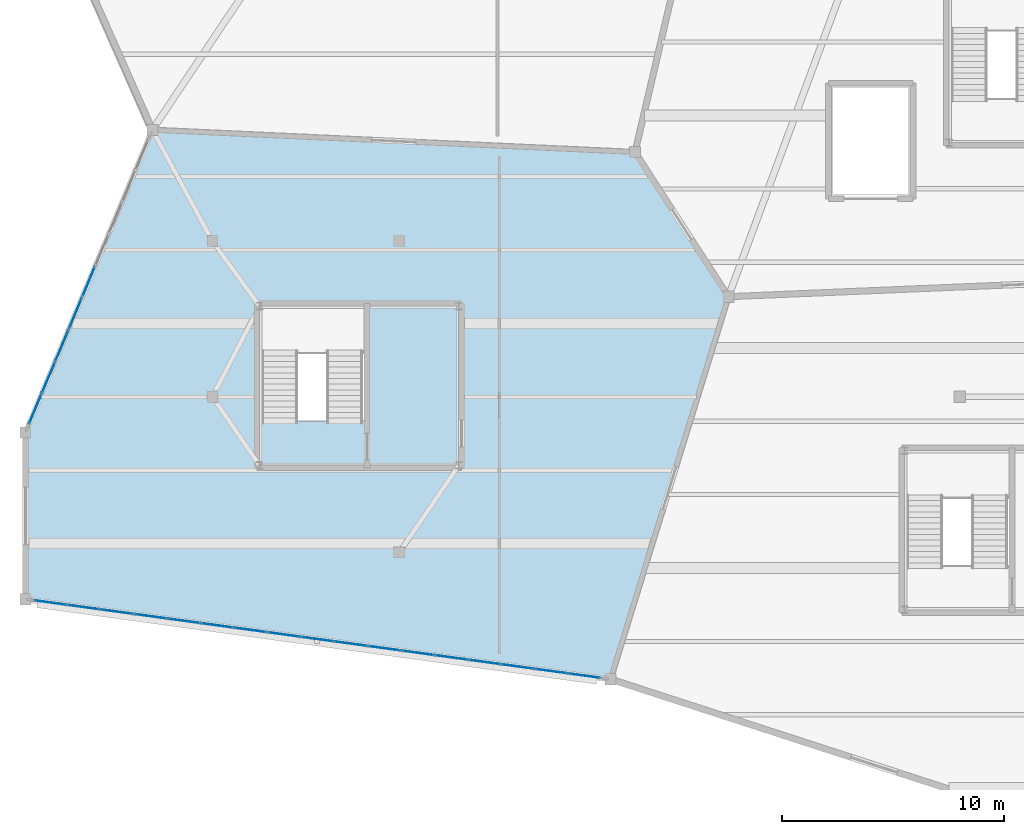
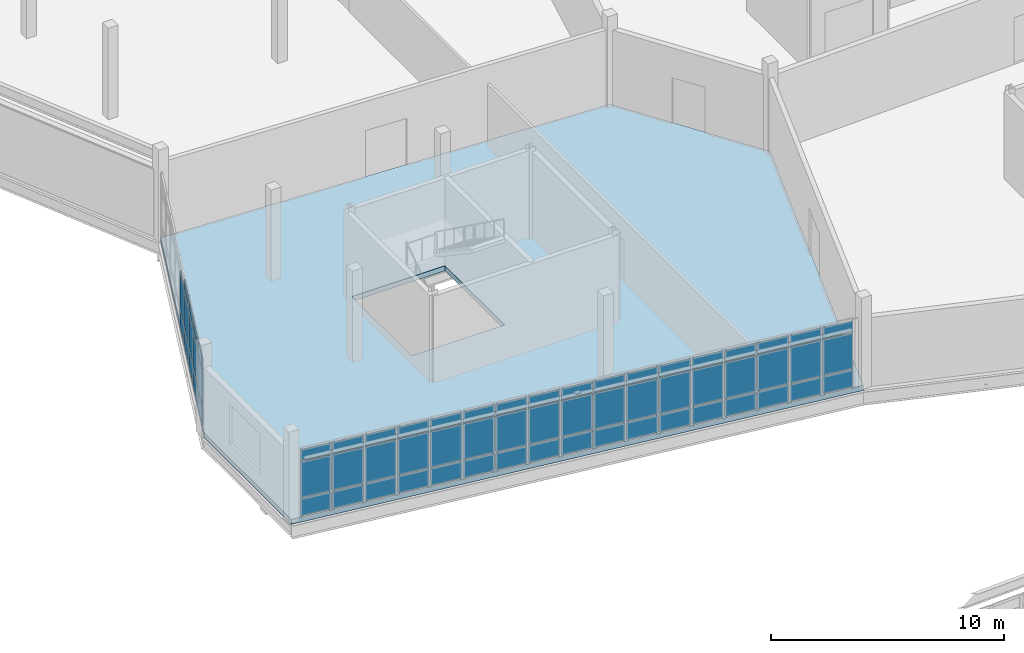
# One storey, part 92 of 134: 65 plates, 1 slab, 2 elements without a shape of their own.
"""IFC4 building model written with IfcOpenShell, lengths in metres."""

from ifc_helpers import new_model, si_unit, direction, frame, origin, origin_2d, place, context, subcontext, project, spatial, polyline, rectangle, outline, extrude, material, layer, layer_set, type_object, element, aggregate, save


model = new_model("IFC4")

# Units and contexts
model_context = context("Model", 3, precision=1e-05, world=origin(), true_north=direction((0.0, 1.0)))
body_context = subcontext(model_context, "Body", "Model", "MODEL_VIEW")
ifc_project = project(units=[si_unit("LENGTHUNIT", "METRE"), si_unit("AREAUNIT", "SQUARE_METRE"), si_unit("VOLUMEUNIT", "CUBIC_METRE"), si_unit("PLANEANGLEUNIT", "RADIAN"), si_unit("MASSUNIT", "GRAM", prefix="KILO")], contexts=[model_context])

# Site, building, storey
site_placement = place(None, origin())
site = spatial("IfcSite", under=ifc_project, at=site_placement, CompositionType="ELEMENT")
building_placement = place(site_placement, origin())
building = spatial("IfcBuilding", under=site, at=building_placement, Name="Tameran Prism Museum", CompositionType="ELEMENT")
storey_placement = place(building_placement, frame((0.0, 0.0, 5.39990234375)))
storey = spatial("IfcBuildingStorey", under=building, at=storey_placement, Name="L01", CompositionType="ELEMENT", Elevation=5.39990234375)

# Curtain wall, plates
ifc_material_1 = material(Name="Anodised Aluminium 6063-T6 and Cyclone Solar Glass", Category="aluminium")
curtain_wall_type_1 = type_object("IfcCurtainWallType", Name="CW-FAC-2579x362", PredefinedType="USERDEFINED", material=ifc_material_1)
curtain_wall_1_placement = place(storey_placement, origin())
curtain_wall_1 = element("IfcCurtainWall", 1, at=curtain_wall_1_placement, inside=storey, type_object=curtain_wall_type_1, Name="Unitised Curtain Wall CW-093", ObjectType="UNITISED CURTAIN WALL", PredefinedType="USERDEFINED")
ifc_material_2 = material(Name="Low-E Laminated Solar Glass", Category="glass")
ifc_layer_1 = layer(ifc_material_2, 0.028076171875)
ifc_layer_set_1 = layer_set([ifc_layer_1])
plate_type_1 = type_object("IfcPlateType", Name="CW-PNL-G28", PredefinedType="CURTAIN_PANEL", material=ifc_layer_set_1)
plate_1_placement = place(storey_placement, frame((25.1240234375, 64.46044921875, 0.0751953125), z_axis=(0.0, 0.0, 1.0), x_axis=(-0.990755679961, 0.135658330466, 0.0)))
plate_1 = element("IfcPlate", 2, at=plate_1_placement, type_object=plate_type_1, Name="CW-093 panel 1.1", PredefinedType="CURTAIN_PANEL", context=body_context, shape_type="SweptSolid", body=[
    extrude(rectangle(XDim=1.404296875, YDim=0.028076171875, at=origin_2d()), origin(), (0.0, 0.0, 1.0), 0.887451171875),
])
plate_2_placement = place(storey_placement, frame((25.1240234375, 64.46044921875, 1.03759765625), z_axis=(0.0, 0.0, 1.0), x_axis=(-0.990755679961, 0.135658330466, 0.0)))
plate_2 = element("IfcPlate", 3, at=plate_2_placement, type_object=plate_type_1, Name="CW-093 panel 1.2", PredefinedType="CURTAIN_PANEL", context=body_context, shape_type="SweptSolid", body=[
    extrude(rectangle(XDim=1.404296875, YDim=0.028076171875, at=origin_2d()), origin(), (0.0, 0.0, 1.0), 1.864990234375),
])
plate_3_placement = place(storey_placement, frame((25.1240234375, 64.46044921875, 2.9775390625), z_axis=(0.0, 0.0, 1.0), x_axis=(-0.990755679961, 0.135658330466, 0.0)))
plate_3 = element("IfcPlate", 4, at=plate_3_placement, type_object=plate_type_1, Name="CW-093 panel 1.3", PredefinedType="CURTAIN_PANEL", context=body_context, shape_type="SweptSolid", body=[
    extrude(rectangle(XDim=1.404296875, YDim=0.028076171875, at=origin_2d()), origin(), (0.0, 0.0, 1.0), 0.5673828125),
])
plate_4_placement = place(storey_placement, frame((23.639892578125, 64.66357421875, 0.0751953125), z_axis=(0.0, 0.0, 1.0), x_axis=(-0.990755679961, 0.135658330466, 0.0)))
plate_4 = element("IfcPlate", 5, at=plate_4_placement, type_object=plate_type_1, Name="CW-093 panel 2.1", PredefinedType="CURTAIN_PANEL", context=body_context, shape_type="SweptSolid", body=[
    extrude(rectangle(XDim=1.44189453125, YDim=0.028076171875, at=origin_2d()), origin(), (0.0, 0.0, 1.0), 0.887451171875),
])
plate_5_placement = place(storey_placement, frame((23.639892578125, 64.66357421875, 1.03759765625), z_axis=(0.0, 0.0, 1.0), x_axis=(-0.990755679961, 0.135658330466, 0.0)))
plate_5 = element("IfcPlate", 6, at=plate_5_placement, type_object=plate_type_1, Name="CW-093 panel 2.2", PredefinedType="CURTAIN_PANEL", context=body_context, shape_type="SweptSolid", body=[
    extrude(rectangle(XDim=1.44189453125, YDim=0.028076171875, at=origin_2d()), origin(), (0.0, 0.0, 1.0), 1.864990234375),
])
plate_6_placement = place(storey_placement, frame((23.639892578125, 64.66357421875, 2.9775390625), z_axis=(0.0, 0.0, 1.0), x_axis=(-0.990755679961, 0.135658330466, 0.0)))
plate_6 = element("IfcPlate", 7, at=plate_6_placement, type_object=plate_type_1, Name="CW-093 panel 2.3", PredefinedType="CURTAIN_PANEL", context=body_context, shape_type="SweptSolid", body=[
    extrude(rectangle(XDim=1.44189453125, YDim=0.028076171875, at=origin_2d()), origin(), (0.0, 0.0, 1.0), 0.5673828125),
])
plate_7_placement = place(storey_placement, frame((22.13720703125, 64.869384765625, 0.0751953125), z_axis=(0.0, 0.0, 1.0), x_axis=(-0.990755679961, 0.135658330466, 0.0)))
plate_7 = element("IfcPlate", 8, at=plate_7_placement, type_object=plate_type_1, Name="CW-093 panel 3.1", PredefinedType="CURTAIN_PANEL", context=body_context, shape_type="SweptSolid", body=[
    extrude(rectangle(XDim=1.44189453125, YDim=0.028076171875, at=origin_2d()), origin(), (0.0, 0.0, 1.0), 0.887451171875),
])
plate_8_placement = place(storey_placement, frame((22.13720703125, 64.869384765625, 1.03759765625), z_axis=(0.0, 0.0, 1.0), x_axis=(-0.990755679961, 0.135658330466, 0.0)))
plate_8 = element("IfcPlate", 9, at=plate_8_placement, type_object=plate_type_1, Name="CW-093 panel 3.2", PredefinedType="CURTAIN_PANEL", context=body_context, shape_type="SweptSolid", body=[
    extrude(rectangle(XDim=1.44189453125, YDim=0.028076171875, at=origin_2d()), origin(), (0.0, 0.0, 1.0), 1.864990234375),
])
plate_9_placement = place(storey_placement, frame((22.13720703125, 64.869384765625, 2.9775390625), z_axis=(0.0, 0.0, 1.0), x_axis=(-0.990755679961, 0.135658330466, 0.0)))
plate_9 = element("IfcPlate", 10, at=plate_9_placement, type_object=plate_type_1, Name="CW-093 panel 3.3", PredefinedType="CURTAIN_PANEL", context=body_context, shape_type="SweptSolid", body=[
    extrude(rectangle(XDim=1.44189453125, YDim=0.028076171875, at=origin_2d()), origin(), (0.0, 0.0, 1.0), 0.5673828125),
])
plate_10_placement = place(storey_placement, frame((20.63427734375, 65.0751953125, 0.0751953125), z_axis=(0.0, 0.0, 1.0), x_axis=(-0.990755679961, 0.135658330466, 0.0)))
plate_10 = element("IfcPlate", 11, at=plate_10_placement, type_object=plate_type_1, Name="CW-093 panel 4.1", PredefinedType="CURTAIN_PANEL", context=body_context, shape_type="SweptSolid", body=[
    extrude(rectangle(XDim=1.44189453125, YDim=0.028076171875, at=origin_2d()), origin(), (0.0, 0.0, 1.0), 0.887451171875),
])
plate_11_placement = place(storey_placement, frame((20.63427734375, 65.0751953125, 1.03759765625), z_axis=(0.0, 0.0, 1.0), x_axis=(-0.990755679961, 0.135658330466, 0.0)))
plate_11 = element("IfcPlate", 12, at=plate_11_placement, type_object=plate_type_1, Name="CW-093 panel 4.2", PredefinedType="CURTAIN_PANEL", context=body_context, shape_type="SweptSolid", body=[
    extrude(rectangle(XDim=1.44189453125, YDim=0.028076171875, at=origin_2d()), origin(), (0.0, 0.0, 1.0), 1.864990234375),
])
plate_12_placement = place(storey_placement, frame((20.63427734375, 65.0751953125, 2.9775390625), z_axis=(0.0, 0.0, 1.0), x_axis=(-0.990755679961, 0.135658330466, 0.0)))
plate_12 = element("IfcPlate", 13, at=plate_12_placement, type_object=plate_type_1, Name="CW-093 panel 4.3", PredefinedType="CURTAIN_PANEL", context=body_context, shape_type="SweptSolid", body=[
    extrude(rectangle(XDim=1.44189453125, YDim=0.028076171875, at=origin_2d()), origin(), (0.0, 0.0, 1.0), 0.5673828125),
])
plate_13_placement = place(storey_placement, frame((19.131591796875, 65.281005859375, 0.0751953125), z_axis=(0.0, 0.0, 1.0), x_axis=(-0.990755679961, 0.135658330466, 0.0)))
plate_13 = element("IfcPlate", 14, at=plate_13_placement, type_object=plate_type_1, Name="CW-093 panel 5.1", PredefinedType="CURTAIN_PANEL", context=body_context, shape_type="SweptSolid", body=[
    extrude(rectangle(XDim=1.44189453125, YDim=0.028076171875, at=origin_2d()), origin(), (0.0, 0.0, 1.0), 0.887451171875),
])
plate_14_placement = place(storey_placement, frame((19.131591796875, 65.281005859375, 1.03759765625), z_axis=(0.0, 0.0, 1.0), x_axis=(-0.990755679961, 0.135658330466, 0.0)))
plate_14 = element("IfcPlate", 15, at=plate_14_placement, type_object=plate_type_1, Name="CW-093 panel 5.2", PredefinedType="CURTAIN_PANEL", context=body_context, shape_type="SweptSolid", body=[
    extrude(rectangle(XDim=1.44189453125, YDim=0.028076171875, at=origin_2d()), origin(), (0.0, 0.0, 1.0), 1.864990234375),
])
plate_15_placement = place(storey_placement, frame((19.131591796875, 65.281005859375, 2.9775390625), z_axis=(0.0, 0.0, 1.0), x_axis=(-0.990755679961, 0.135658330466, 0.0)))
plate_15 = element("IfcPlate", 16, at=plate_15_placement, type_object=plate_type_1, Name="CW-093 panel 5.3", PredefinedType="CURTAIN_PANEL", context=body_context, shape_type="SweptSolid", body=[
    extrude(rectangle(XDim=1.44189453125, YDim=0.028076171875, at=origin_2d()), origin(), (0.0, 0.0, 1.0), 0.5673828125),
])
plate_16_placement = place(storey_placement, frame((17.62890625, 65.48681640625, 0.0751953125), z_axis=(0.0, 0.0, 1.0), x_axis=(-0.990755679961, 0.135658330466, 0.0)))
plate_16 = element("IfcPlate", 17, at=plate_16_placement, type_object=plate_type_1, Name="CW-093 panel 6.1", PredefinedType="CURTAIN_PANEL", context=body_context, shape_type="SweptSolid", body=[
    extrude(rectangle(XDim=1.44189453125, YDim=0.028076171875, at=origin_2d()), origin(), (0.0, 0.0, 1.0), 0.887451171875),
])
plate_17_placement = place(storey_placement, frame((17.62890625, 65.48681640625, 1.03759765625), z_axis=(0.0, 0.0, 1.0), x_axis=(-0.990755679961, 0.135658330466, 0.0)))
plate_17 = element("IfcPlate", 18, at=plate_17_placement, type_object=plate_type_1, Name="CW-093 panel 6.2", PredefinedType="CURTAIN_PANEL", context=body_context, shape_type="SweptSolid", body=[
    extrude(rectangle(XDim=1.44189453125, YDim=0.028076171875, at=origin_2d()), origin(), (0.0, 0.0, 1.0), 1.864990234375),
])
plate_18_placement = place(storey_placement, frame((17.62890625, 65.48681640625, 2.9775390625), z_axis=(0.0, 0.0, 1.0), x_axis=(-0.990755679961, 0.135658330466, 0.0)))
plate_18 = element("IfcPlate", 19, at=plate_18_placement, type_object=plate_type_1, Name="CW-093 panel 6.3", PredefinedType="CURTAIN_PANEL", context=body_context, shape_type="SweptSolid", body=[
    extrude(rectangle(XDim=1.44189453125, YDim=0.028076171875, at=origin_2d()), origin(), (0.0, 0.0, 1.0), 0.5673828125),
])
plate_19_placement = place(storey_placement, frame((16.1259765625, 65.6923828125, 0.0751953125), z_axis=(0.0, 0.0, 1.0), x_axis=(-0.990755679961, 0.135658330466, 0.0)))
plate_19 = element("IfcPlate", 20, at=plate_19_placement, type_object=plate_type_1, Name="CW-093 panel 7.1", PredefinedType="CURTAIN_PANEL", context=body_context, shape_type="SweptSolid", body=[
    extrude(rectangle(XDim=1.44189453125, YDim=0.028076171875, at=origin_2d()), origin(), (0.0, 0.0, 1.0), 0.887451171875),
])
plate_20_placement = place(storey_placement, frame((16.1259765625, 65.6923828125, 1.03759765625), z_axis=(0.0, 0.0, 1.0), x_axis=(-0.990755679961, 0.135658330466, 0.0)))
plate_20 = element("IfcPlate", 21, at=plate_20_placement, type_object=plate_type_1, Name="CW-093 panel 7.2", PredefinedType="CURTAIN_PANEL", context=body_context, shape_type="SweptSolid", body=[
    extrude(rectangle(XDim=1.44189453125, YDim=0.028076171875, at=origin_2d()), origin(), (0.0, 0.0, 1.0), 1.864990234375),
])
plate_21_placement = place(storey_placement, frame((16.1259765625, 65.6923828125, 2.9775390625), z_axis=(0.0, 0.0, 1.0), x_axis=(-0.990755679961, 0.135658330466, 0.0)))
plate_21 = element("IfcPlate", 22, at=plate_21_placement, type_object=plate_type_1, Name="CW-093 panel 7.3", PredefinedType="CURTAIN_PANEL", context=body_context, shape_type="SweptSolid", body=[
    extrude(rectangle(XDim=1.44189453125, YDim=0.028076171875, at=origin_2d()), origin(), (0.0, 0.0, 1.0), 0.5673828125),
])
plate_22_placement = place(storey_placement, frame((14.623291015625, 65.898193359375, 0.0751953125), z_axis=(0.0, 0.0, 1.0), x_axis=(-0.990755679961, 0.135658330466, 0.0)))
plate_22 = element("IfcPlate", 23, at=plate_22_placement, type_object=plate_type_1, Name="CW-093 panel 8.1", PredefinedType="CURTAIN_PANEL", context=body_context, shape_type="SweptSolid", body=[
    extrude(rectangle(XDim=1.44189453125, YDim=0.028076171875, at=origin_2d()), origin(), (0.0, 0.0, 1.0), 0.887451171875),
])
plate_23_placement = place(storey_placement, frame((14.623291015625, 65.898193359375, 1.03759765625), z_axis=(0.0, 0.0, 1.0), x_axis=(-0.990755679961, 0.135658330466, 0.0)))
plate_23 = element("IfcPlate", 24, at=plate_23_placement, type_object=plate_type_1, Name="CW-093 panel 8.2", PredefinedType="CURTAIN_PANEL", context=body_context, shape_type="SweptSolid", body=[
    extrude(rectangle(XDim=1.44189453125, YDim=0.028076171875, at=origin_2d()), origin(), (0.0, 0.0, 1.0), 1.864990234375),
])
plate_24_placement = place(storey_placement, frame((14.623291015625, 65.898193359375, 2.9775390625), z_axis=(0.0, 0.0, 1.0), x_axis=(-0.990755679961, 0.135658330466, 0.0)))
plate_24 = element("IfcPlate", 25, at=plate_24_placement, type_object=plate_type_1, Name="CW-093 panel 8.3", PredefinedType="CURTAIN_PANEL", context=body_context, shape_type="SweptSolid", body=[
    extrude(rectangle(XDim=1.44189453125, YDim=0.028076171875, at=origin_2d()), origin(), (0.0, 0.0, 1.0), 0.5673828125),
])
plate_25_placement = place(storey_placement, frame((13.12060546875, 66.10400390625, 0.0751953125), z_axis=(0.0, 0.0, 1.0), x_axis=(-0.990755679961, 0.135658330466, 0.0)))
plate_25 = element("IfcPlate", 26, at=plate_25_placement, type_object=plate_type_1, Name="CW-093 panel 9.1", PredefinedType="CURTAIN_PANEL", context=body_context, shape_type="SweptSolid", body=[
    extrude(rectangle(XDim=1.44189453125, YDim=0.028076171875, at=origin_2d()), origin(), (0.0, 0.0, 1.0), 0.887451171875),
])
plate_26_placement = place(storey_placement, frame((13.12060546875, 66.10400390625, 1.03759765625), z_axis=(0.0, 0.0, 1.0), x_axis=(-0.990755679961, 0.135658330466, 0.0)))
plate_26 = element("IfcPlate", 27, at=plate_26_placement, type_object=plate_type_1, Name="CW-093 panel 9.2", PredefinedType="CURTAIN_PANEL", context=body_context, shape_type="SweptSolid", body=[
    extrude(rectangle(XDim=1.44189453125, YDim=0.028076171875, at=origin_2d()), origin(), (0.0, 0.0, 1.0), 1.864990234375),
])
plate_27_placement = place(storey_placement, frame((13.12060546875, 66.10400390625, 2.9775390625), z_axis=(0.0, 0.0, 1.0), x_axis=(-0.990755679961, 0.135658330466, 0.0)))
plate_27 = element("IfcPlate", 28, at=plate_27_placement, type_object=plate_type_1, Name="CW-093 panel 9.3", PredefinedType="CURTAIN_PANEL", context=body_context, shape_type="SweptSolid", body=[
    extrude(rectangle(XDim=1.44189453125, YDim=0.028076171875, at=origin_2d()), origin(), (0.0, 0.0, 1.0), 0.5673828125),
])
plate_28_placement = place(storey_placement, frame((11.61767578125, 66.309814453125, 0.0751953125), z_axis=(0.0, 0.0, 1.0), x_axis=(-0.990755679961, 0.135658330466, 0.0)))
plate_28 = element("IfcPlate", 29, at=plate_28_placement, type_object=plate_type_1, Name="CW-093 panel 10.1", PredefinedType="CURTAIN_PANEL", context=body_context, shape_type="SweptSolid", body=[
    extrude(rectangle(XDim=1.44189453125, YDim=0.028076171875, at=origin_2d()), origin(), (0.0, 0.0, 1.0), 0.887451171875),
])
plate_29_placement = place(storey_placement, frame((11.61767578125, 66.309814453125, 1.03759765625), z_axis=(0.0, 0.0, 1.0), x_axis=(-0.990755679961, 0.135658330466, 0.0)))
plate_29 = element("IfcPlate", 30, at=plate_29_placement, type_object=plate_type_1, Name="CW-093 panel 10.2", PredefinedType="CURTAIN_PANEL", context=body_context, shape_type="SweptSolid", body=[
    extrude(rectangle(XDim=1.44189453125, YDim=0.028076171875, at=origin_2d()), origin(), (0.0, 0.0, 1.0), 1.864990234375),
])
plate_30_placement = place(storey_placement, frame((11.61767578125, 66.309814453125, 2.9775390625), z_axis=(0.0, 0.0, 1.0), x_axis=(-0.990755679961, 0.135658330466, 0.0)))
plate_30 = element("IfcPlate", 31, at=plate_30_placement, type_object=plate_type_1, Name="CW-093 panel 10.3", PredefinedType="CURTAIN_PANEL", context=body_context, shape_type="SweptSolid", body=[
    extrude(rectangle(XDim=1.44189453125, YDim=0.028076171875, at=origin_2d()), origin(), (0.0, 0.0, 1.0), 0.5673828125),
])
plate_31_placement = place(storey_placement, frame((10.114990234375, 66.515625, 0.0751953125), z_axis=(0.0, 0.0, 1.0), x_axis=(-0.990755679961, 0.135658330466, 0.0)))
plate_31 = element("IfcPlate", 32, at=plate_31_placement, type_object=plate_type_1, Name="CW-093 panel 11.1", PredefinedType="CURTAIN_PANEL", context=body_context, shape_type="SweptSolid", body=[
    extrude(rectangle(XDim=1.44189453125, YDim=0.028076171875, at=origin_2d()), origin(), (0.0, 0.0, 1.0), 0.887451171875),
])
plate_32_placement = place(storey_placement, frame((10.114990234375, 66.515625, 1.03759765625), z_axis=(0.0, 0.0, 1.0), x_axis=(-0.990755679961, 0.135658330466, 0.0)))
plate_32 = element("IfcPlate", 33, at=plate_32_placement, type_object=plate_type_1, Name="CW-093 panel 11.2", PredefinedType="CURTAIN_PANEL", context=body_context, shape_type="SweptSolid", body=[
    extrude(rectangle(XDim=1.44189453125, YDim=0.028076171875, at=origin_2d()), origin(), (0.0, 0.0, 1.0), 1.864990234375),
])
plate_33_placement = place(storey_placement, frame((10.114990234375, 66.515625, 2.9775390625), z_axis=(0.0, 0.0, 1.0), x_axis=(-0.990755679961, 0.135658330466, 0.0)))
plate_33 = element("IfcPlate", 34, at=plate_33_placement, type_object=plate_type_1, Name="CW-093 panel 11.3", PredefinedType="CURTAIN_PANEL", context=body_context, shape_type="SweptSolid", body=[
    extrude(rectangle(XDim=1.44189453125, YDim=0.028076171875, at=origin_2d()), origin(), (0.0, 0.0, 1.0), 0.5673828125),
])
plate_34_placement = place(storey_placement, frame((8.6123046875, 66.72119140625, 0.0751953125), z_axis=(0.0, 0.0, 1.0), x_axis=(-0.990755679961, 0.135658330466, 0.0)))
plate_34 = element("IfcPlate", 35, at=plate_34_placement, type_object=plate_type_1, Name="CW-093 panel 12.1", PredefinedType="CURTAIN_PANEL", context=body_context, shape_type="SweptSolid", body=[
    extrude(rectangle(XDim=1.44189453125, YDim=0.028076171875, at=origin_2d()), origin(), (0.0, 0.0, 1.0), 0.887451171875),
])
plate_35_placement = place(storey_placement, frame((8.6123046875, 66.72119140625, 1.03759765625), z_axis=(0.0, 0.0, 1.0), x_axis=(-0.990755679961, 0.135658330466, 0.0)))
plate_35 = element("IfcPlate", 36, at=plate_35_placement, type_object=plate_type_1, Name="CW-093 panel 12.2", PredefinedType="CURTAIN_PANEL", context=body_context, shape_type="SweptSolid", body=[
    extrude(rectangle(XDim=1.44189453125, YDim=0.028076171875, at=origin_2d()), origin(), (0.0, 0.0, 1.0), 1.864990234375),
])
plate_36_placement = place(storey_placement, frame((8.6123046875, 66.72119140625, 2.9775390625), z_axis=(0.0, 0.0, 1.0), x_axis=(-0.990755679961, 0.135658330466, 0.0)))
plate_36 = element("IfcPlate", 37, at=plate_36_placement, type_object=plate_type_1, Name="CW-093 panel 12.3", PredefinedType="CURTAIN_PANEL", context=body_context, shape_type="SweptSolid", body=[
    extrude(rectangle(XDim=1.44189453125, YDim=0.028076171875, at=origin_2d()), origin(), (0.0, 0.0, 1.0), 0.5673828125),
])
plate_37_placement = place(storey_placement, frame((7.109375, 66.927001953125, 0.0751953125), z_axis=(0.0, 0.0, 1.0), x_axis=(-0.990755679961, 0.135658330466, 0.0)))
plate_37 = element("IfcPlate", 38, at=plate_37_placement, type_object=plate_type_1, Name="CW-093 panel 13.1", PredefinedType="CURTAIN_PANEL", context=body_context, shape_type="SweptSolid", body=[
    extrude(rectangle(XDim=1.44189453125, YDim=0.028076171875, at=origin_2d()), origin(), (0.0, 0.0, 1.0), 0.887451171875),
])
plate_38_placement = place(storey_placement, frame((7.109375, 66.927001953125, 1.03759765625), z_axis=(0.0, 0.0, 1.0), x_axis=(-0.990755679961, 0.135658330466, 0.0)))
plate_38 = element("IfcPlate", 39, at=plate_38_placement, type_object=plate_type_1, Name="CW-093 panel 13.2", PredefinedType="CURTAIN_PANEL", context=body_context, shape_type="SweptSolid", body=[
    extrude(rectangle(XDim=1.44189453125, YDim=0.028076171875, at=origin_2d()), origin(), (0.0, 0.0, 1.0), 1.864990234375),
])
plate_39_placement = place(storey_placement, frame((7.109375, 66.927001953125, 2.9775390625), z_axis=(0.0, 0.0, 1.0), x_axis=(-0.990755679961, 0.135658330466, 0.0)))
plate_39 = element("IfcPlate", 40, at=plate_39_placement, type_object=plate_type_1, Name="CW-093 panel 13.3", PredefinedType="CURTAIN_PANEL", context=body_context, shape_type="SweptSolid", body=[
    extrude(rectangle(XDim=1.44189453125, YDim=0.028076171875, at=origin_2d()), origin(), (0.0, 0.0, 1.0), 0.5673828125),
])
plate_40_placement = place(storey_placement, frame((5.606689453125, 67.1328125, 0.0751953125), z_axis=(0.0, 0.0, 1.0), x_axis=(-0.990755679961, 0.135658330466, 0.0)))
plate_40 = element("IfcPlate", 41, at=plate_40_placement, type_object=plate_type_1, Name="CW-093 panel 14.1", PredefinedType="CURTAIN_PANEL", context=body_context, shape_type="SweptSolid", body=[
    extrude(rectangle(XDim=1.44189453125, YDim=0.028076171875, at=origin_2d()), origin(), (0.0, 0.0, 1.0), 0.887451171875),
])
plate_41_placement = place(storey_placement, frame((5.606689453125, 67.1328125, 1.03759765625), z_axis=(0.0, 0.0, 1.0), x_axis=(-0.990755679961, 0.135658330466, 0.0)))
plate_41 = element("IfcPlate", 42, at=plate_41_placement, type_object=plate_type_1, Name="CW-093 panel 14.2", PredefinedType="CURTAIN_PANEL", context=body_context, shape_type="SweptSolid", body=[
    extrude(rectangle(XDim=1.44189453125, YDim=0.028076171875, at=origin_2d()), origin(), (0.0, 0.0, 1.0), 1.864990234375),
])
plate_42_placement = place(storey_placement, frame((5.606689453125, 67.1328125, 2.9775390625), z_axis=(0.0, 0.0, 1.0), x_axis=(-0.990755679961, 0.135658330466, 0.0)))
plate_42 = element("IfcPlate", 43, at=plate_42_placement, type_object=plate_type_1, Name="CW-093 panel 14.3", PredefinedType="CURTAIN_PANEL", context=body_context, shape_type="SweptSolid", body=[
    extrude(rectangle(XDim=1.44189453125, YDim=0.028076171875, at=origin_2d()), origin(), (0.0, 0.0, 1.0), 0.5673828125),
])
plate_43_placement = place(storey_placement, frame((4.10400390625, 67.338623046875, 0.0751953125), z_axis=(0.0, 0.0, 1.0), x_axis=(-0.990755679961, 0.135658330466, 0.0)))
plate_43 = element("IfcPlate", 44, at=plate_43_placement, type_object=plate_type_1, Name="CW-093 panel 15.1", PredefinedType="CURTAIN_PANEL", context=body_context, shape_type="SweptSolid", body=[
    extrude(rectangle(XDim=1.44189453125, YDim=0.028076171875, at=origin_2d()), origin(), (0.0, 0.0, 1.0), 0.887451171875),
])
plate_44_placement = place(storey_placement, frame((4.10400390625, 67.338623046875, 1.03759765625), z_axis=(0.0, 0.0, 1.0), x_axis=(-0.990755679961, 0.135658330466, 0.0)))
plate_44 = element("IfcPlate", 45, at=plate_44_placement, type_object=plate_type_1, Name="CW-093 panel 15.2", PredefinedType="CURTAIN_PANEL", context=body_context, shape_type="SweptSolid", body=[
    extrude(rectangle(XDim=1.44189453125, YDim=0.028076171875, at=origin_2d()), origin(), (0.0, 0.0, 1.0), 1.864990234375),
])
plate_45_placement = place(storey_placement, frame((4.10400390625, 67.338623046875, 2.9775390625), z_axis=(0.0, 0.0, 1.0), x_axis=(-0.990755679961, 0.135658330466, 0.0)))
plate_45 = element("IfcPlate", 46, at=plate_45_placement, type_object=plate_type_1, Name="CW-093 panel 15.3", PredefinedType="CURTAIN_PANEL", context=body_context, shape_type="SweptSolid", body=[
    extrude(rectangle(XDim=1.44189453125, YDim=0.028076171875, at=origin_2d()), origin(), (0.0, 0.0, 1.0), 0.5673828125),
])
plate_46_placement = place(storey_placement, frame((2.60107421875, 67.54443359375, 0.0751953125), z_axis=(0.0, 0.0, 1.0), x_axis=(-0.990755679961, 0.135658330466, 0.0)))
plate_46 = element("IfcPlate", 47, at=plate_46_placement, type_object=plate_type_1, Name="CW-093 panel 16.1", PredefinedType="CURTAIN_PANEL", context=body_context, shape_type="SweptSolid", body=[
    extrude(rectangle(XDim=1.44189453125, YDim=0.028076171875, at=origin_2d()), origin(), (0.0, 0.0, 1.0), 0.887451171875),
])
plate_47_placement = place(storey_placement, frame((2.60107421875, 67.54443359375, 1.03759765625), z_axis=(0.0, 0.0, 1.0), x_axis=(-0.990755679961, 0.135658330466, 0.0)))
plate_47 = element("IfcPlate", 48, at=plate_47_placement, type_object=plate_type_1, Name="CW-093 panel 16.2", PredefinedType="CURTAIN_PANEL", context=body_context, shape_type="SweptSolid", body=[
    extrude(rectangle(XDim=1.44189453125, YDim=0.028076171875, at=origin_2d()), origin(), (0.0, 0.0, 1.0), 1.864990234375),
])
plate_48_placement = place(storey_placement, frame((2.60107421875, 67.54443359375, 2.9775390625), z_axis=(0.0, 0.0, 1.0), x_axis=(-0.990755679961, 0.135658330466, 0.0)))
plate_48 = element("IfcPlate", 49, at=plate_48_placement, type_object=plate_type_1, Name="CW-093 panel 16.3", PredefinedType="CURTAIN_PANEL", context=body_context, shape_type="SweptSolid", body=[
    extrude(rectangle(XDim=1.44189453125, YDim=0.028076171875, at=origin_2d()), origin(), (0.0, 0.0, 1.0), 0.5673828125),
])
plate_49_placement = place(storey_placement, frame((1.116943359375, 67.74755859375, 0.0751953125), z_axis=(0.0, 0.0, 1.0), x_axis=(-0.990755679961, 0.135658330466, 0.0)))
plate_49 = element("IfcPlate", 50, at=plate_49_placement, type_object=plate_type_1, Name="CW-093 panel 17.1", PredefinedType="CURTAIN_PANEL", context=body_context, shape_type="SweptSolid", body=[
    extrude(rectangle(XDim=1.404296875, YDim=0.028076171875, at=origin_2d()), origin(), (0.0, 0.0, 1.0), 0.887451171875),
])
plate_50_placement = place(storey_placement, frame((1.116943359375, 67.74755859375, 1.03759765625), z_axis=(0.0, 0.0, 1.0), x_axis=(-0.990755679961, 0.135658330466, 0.0)))
plate_50 = element("IfcPlate", 51, at=plate_50_placement, type_object=plate_type_1, Name="CW-093 panel 17.2", PredefinedType="CURTAIN_PANEL", context=body_context, shape_type="SweptSolid", body=[
    extrude(rectangle(XDim=1.404296875, YDim=0.028076171875, at=origin_2d()), origin(), (0.0, 0.0, 1.0), 1.864990234375),
])
plate_51_placement = place(storey_placement, frame((1.116943359375, 67.74755859375, 2.9775390625), z_axis=(0.0, 0.0, 1.0), x_axis=(-0.990755679961, 0.135658330466, 0.0)))
plate_51 = element("IfcPlate", 52, at=plate_51_placement, type_object=plate_type_1, Name="CW-093 panel 17.3", PredefinedType="CURTAIN_PANEL", context=body_context, shape_type="SweptSolid", body=[
    extrude(rectangle(XDim=1.404296875, YDim=0.028076171875, at=origin_2d()), origin(), (0.0, 0.0, 1.0), 0.5673828125),
])
aggregate(curtain_wall_1, [plate_1, plate_2, plate_3, plate_4, plate_5, plate_6, plate_7, plate_8, plate_9, plate_10, plate_11, plate_12, plate_13, plate_14, plate_15, plate_16, plate_17, plate_18, plate_19, plate_20, plate_21, plate_22, plate_23, plate_24, plate_25, plate_26, plate_27, plate_28, plate_29, plate_30, plate_31, plate_32, plate_33, plate_34, plate_35, plate_36, plate_37, plate_38, plate_39, plate_40, plate_41, plate_42, plate_43, plate_44, plate_45, plate_46, plate_47, plate_48, plate_49, plate_50, plate_51])

ifc_material_3 = material(Name="Anodised Aluminium 6063-T6 and Cyclone Solar Glass", Category="aluminium")
curtain_wall_type_2 = type_object("IfcCurtainWallType", Name="CW-FAC-1399x362", PredefinedType="USERDEFINED", material=ifc_material_3)
curtain_wall_2_placement = place(storey_placement, origin())
curtain_wall_2 = element("IfcCurtainWall", 53, at=curtain_wall_2_placement, inside=storey, type_object=curtain_wall_type_2, Name="Unitised Curtain Wall CW-094", ObjectType="UNITISED CURTAIN WALL", PredefinedType="USERDEFINED")
ifc_material_4 = material(Name="Cyclone Laminated Solar Glass", Category="glass")
ifc_layer_2 = layer(ifc_material_4, 0.031982421875)
ifc_layer_set_2 = layer_set([ifc_layer_2])
plate_type_2 = type_object("IfcPlateType", Name="CW-PNL-G32", PredefinedType="CURTAIN_PANEL", material=ifc_layer_set_2)
plate_52_placement = place(storey_placement, frame((0.443115234375, 76.4580078125, 0.080078125), z_axis=(0.0, 0.0, 1.0), x_axis=(0.386589370609, 0.922251949595, 0.0)))
plate_52 = element("IfcPlate", 54, at=plate_52_placement, type_object=plate_type_2, Name="CW-094 panel 1.1", PredefinedType="CURTAIN_PANEL", context=body_context, shape_type="SweptSolid", body=[
    extrude(rectangle(XDim=1.43408203125, YDim=0.031982421875, at=origin_2d()), origin(), (0.0, 0.0, 1.0), 0.8798828125),
])
plate_53_placement = place(storey_placement, frame((0.443115234375, 76.4580078125, 1.0400390625), z_axis=(0.0, 0.0, 1.0), x_axis=(0.386589370609, 0.922251949595, 0.0)))
plate_53 = element("IfcPlate", 55, at=plate_53_placement, type_object=plate_type_2, Name="CW-094 panel 1.2", PredefinedType="CURTAIN_PANEL", context=body_context, shape_type="SweptSolid", body=[
    extrude(rectangle(XDim=1.43408203125, YDim=0.031982421875, at=origin_2d()), origin(), (0.0, 0.0, 1.0), 1.860107421875),
])
plate_54_placement = place(storey_placement, frame((0.443115234375, 76.4580078125, 2.97998046875), z_axis=(0.0, 0.0, 1.0), x_axis=(0.386589370609, 0.922251949595, 0.0)))
plate_54 = element("IfcPlate", 56, at=plate_54_placement, type_object=plate_type_2, Name="CW-094 panel 1.3", PredefinedType="CURTAIN_PANEL", context=body_context, shape_type="SweptSolid", body=[
    extrude(rectangle(XDim=1.43408203125, YDim=0.031982421875, at=origin_2d()), origin(), (0.0, 0.0, 1.0), 0.56005859375),
])
plate_55_placement = place(storey_placement, frame((1.0361328125, 77.872802734375, 0.080078125), z_axis=(0.0, 0.0, 1.0), x_axis=(0.386589370609, 0.922251949595, 0.0)))
plate_55 = element("IfcPlate", 57, at=plate_55_placement, type_object=plate_type_2, Name="CW-094 panel 2.1", PredefinedType="CURTAIN_PANEL", context=body_context, shape_type="SweptSolid", body=[
    extrude(rectangle(XDim=1.47412109375, YDim=0.031982421875, at=origin_2d()), origin(), (0.0, 0.0, 1.0), 0.8798828125),
])
plate_56_placement = place(storey_placement, frame((1.0361328125, 77.872802734375, 1.0400390625), z_axis=(0.0, 0.0, 1.0), x_axis=(0.386589370609, 0.922251949595, 0.0)))
plate_56 = element("IfcPlate", 58, at=plate_56_placement, type_object=plate_type_2, Name="CW-094 panel 2.2", PredefinedType="CURTAIN_PANEL", context=body_context, shape_type="SweptSolid", body=[
    extrude(rectangle(XDim=1.47412109375, YDim=0.031982421875, at=origin_2d()), origin(), (0.0, 0.0, 1.0), 1.860107421875),
])
plate_57_placement = place(storey_placement, frame((1.0361328125, 77.872802734375, 2.97998046875), z_axis=(0.0, 0.0, 1.0), x_axis=(0.386589370609, 0.922251949595, 0.0)))
plate_57 = element("IfcPlate", 59, at=plate_57_placement, type_object=plate_type_2, Name="CW-094 panel 2.3", PredefinedType="CURTAIN_PANEL", context=body_context, shape_type="SweptSolid", body=[
    extrude(rectangle(XDim=1.47412109375, YDim=0.031982421875, at=origin_2d()), origin(), (0.0, 0.0, 1.0), 0.56005859375),
])
plate_58_placement = place(storey_placement, frame((1.636962890625, 79.30615234375, 0.080078125), z_axis=(0.0, 0.0, 1.0), x_axis=(0.386589370609, 0.922251949595, 0.0)))
plate_58 = element("IfcPlate", 60, at=plate_58_placement, type_object=plate_type_2, Name="CW-094 panel 3.1", PredefinedType="CURTAIN_PANEL", context=body_context, shape_type="SweptSolid", body=[
    extrude(rectangle(XDim=1.47412109375, YDim=0.031982421875, at=origin_2d()), origin(), (0.0, 0.0, 1.0), 0.8798828125),
])
plate_59_placement = place(storey_placement, frame((1.636962890625, 79.30615234375, 1.0400390625), z_axis=(0.0, 0.0, 1.0), x_axis=(0.386589370609, 0.922251949595, 0.0)))
plate_59 = element("IfcPlate", 61, at=plate_59_placement, type_object=plate_type_2, Name="CW-094 panel 3.2", PredefinedType="CURTAIN_PANEL", context=body_context, shape_type="SweptSolid", body=[
    extrude(rectangle(XDim=1.47412109375, YDim=0.031982421875, at=origin_2d()), origin(), (0.0, 0.0, 1.0), 1.860107421875),
])
plate_60_placement = place(storey_placement, frame((1.636962890625, 79.30615234375, 2.97998046875), z_axis=(0.0, 0.0, 1.0), x_axis=(0.386589370609, 0.922251949595, 0.0)))
plate_60 = element("IfcPlate", 62, at=plate_60_placement, type_object=plate_type_2, Name="CW-094 panel 3.3", PredefinedType="CURTAIN_PANEL", context=body_context, shape_type="SweptSolid", body=[
    extrude(rectangle(XDim=1.47412109375, YDim=0.031982421875, at=origin_2d()), origin(), (0.0, 0.0, 1.0), 0.56005859375),
])
plate_61_placement = place(storey_placement, frame((2.23779296875, 80.7392578125, 0.080078125), z_axis=(0.0, 0.0, 1.0), x_axis=(0.386589370609, 0.922251949595, 0.0)))
plate_61 = element("IfcPlate", 63, at=plate_61_placement, type_object=plate_type_2, Name="CW-094 panel 4.1", PredefinedType="CURTAIN_PANEL", context=body_context, shape_type="SweptSolid", body=[
    extrude(rectangle(XDim=1.47412109375, YDim=0.031982421875, at=origin_2d()), origin(), (0.0, 0.0, 1.0), 0.8798828125),
])
plate_62_placement = place(storey_placement, frame((2.23779296875, 80.7392578125, 1.0400390625), z_axis=(0.0, 0.0, 1.0), x_axis=(0.386589370609, 0.922251949595, 0.0)))
plate_62 = element("IfcPlate", 64, at=plate_62_placement, type_object=plate_type_2, Name="CW-094 panel 4.2", PredefinedType="CURTAIN_PANEL", context=body_context, shape_type="SweptSolid", body=[
    extrude(rectangle(XDim=1.47412109375, YDim=0.031982421875, at=origin_2d()), origin(), (0.0, 0.0, 1.0), 1.860107421875),
])
plate_63_placement = place(storey_placement, frame((2.23779296875, 80.7392578125, 2.97998046875), z_axis=(0.0, 0.0, 1.0), x_axis=(0.386589370609, 0.922251949595, 0.0)))
plate_63 = element("IfcPlate", 65, at=plate_63_placement, type_object=plate_type_2, Name="CW-094 panel 4.3", PredefinedType="CURTAIN_PANEL", context=body_context, shape_type="SweptSolid", body=[
    extrude(rectangle(XDim=1.47412109375, YDim=0.031982421875, at=origin_2d()), origin(), (0.0, 0.0, 1.0), 0.56005859375),
])
plate_64_placement = place(storey_placement, frame((2.83837890625, 82.172607421875, 0.080078125), z_axis=(0.0, 0.0, 1.0), x_axis=(0.386589370609, 0.922251949595, 0.0)))
plate_64 = element("IfcPlate", 66, at=plate_64_placement, type_object=plate_type_2, Name="CW-094 panel 5.1", PredefinedType="CURTAIN_PANEL", context=body_context, shape_type="SweptSolid", body=[
    extrude(rectangle(XDim=1.47412109375, YDim=0.031982421875, at=origin_2d()), origin(), (0.0, 0.0, 1.0), 0.8798828125),
])
plate_65_placement = place(storey_placement, frame((2.83837890625, 82.172607421875, 1.0400390625), z_axis=(0.0, 0.0, 1.0), x_axis=(0.386589370609, 0.922251949595, 0.0)))
plate_65 = element("IfcPlate", 67, at=plate_65_placement, type_object=plate_type_2, Name="CW-094 panel 5.2", PredefinedType="CURTAIN_PANEL", context=body_context, shape_type="SweptSolid", body=[
    extrude(rectangle(XDim=1.47412109375, YDim=0.031982421875, at=origin_2d()), origin(), (0.0, 0.0, 1.0), 1.860107421875),
])
aggregate(curtain_wall_2, [plate_52, plate_53, plate_54, plate_55, plate_56, plate_57, plate_58, plate_59, plate_60, plate_61, plate_62, plate_63, plate_64, plate_65])

# Slab
ifc_material_5 = material(Name="Concrete N40 (40 MPa)", Category="concrete")
ifc_layer_3 = layer(ifc_material_5, 0.260009765625)
ifc_layer_set_3 = layer_set([ifc_layer_3])
slab_type = type_object("IfcSlabType", Name="SL-FLR-260", PredefinedType="FLOOR", material=ifc_layer_set_3)
slab_placement = place(storey_placement, frame((0.0, 0.0, -0.260009765625)))
element("IfcSlab", 68, at=slab_placement, inside=storey, type_object=slab_type, Name="Floor Slab FS-P17-L01", PredefinedType="FLOOR", context=body_context, shape_type="SweptSolid", body=[
    extrude(outline(polyline([(5.699951171875, 89.0), (27.39990234375, 88.0), (31.60009765625, 81.5), (26.300048828125, 64.300048828125), (0.0, 67.89990234375), (0.0, 75.39990234375), (5.699951171875, 89.0)]), holes=[polyline([(15.219970703125, 81.050048828125), (10.60009765625, 81.050048828125), (10.60009765625, 75.93994140625), (15.219970703125, 75.93994140625), (15.219970703125, 81.050048828125)])]), origin(), (0.0, 0.0, 1.0), 0.260009765625),
])

save(model, "model.ifc")
